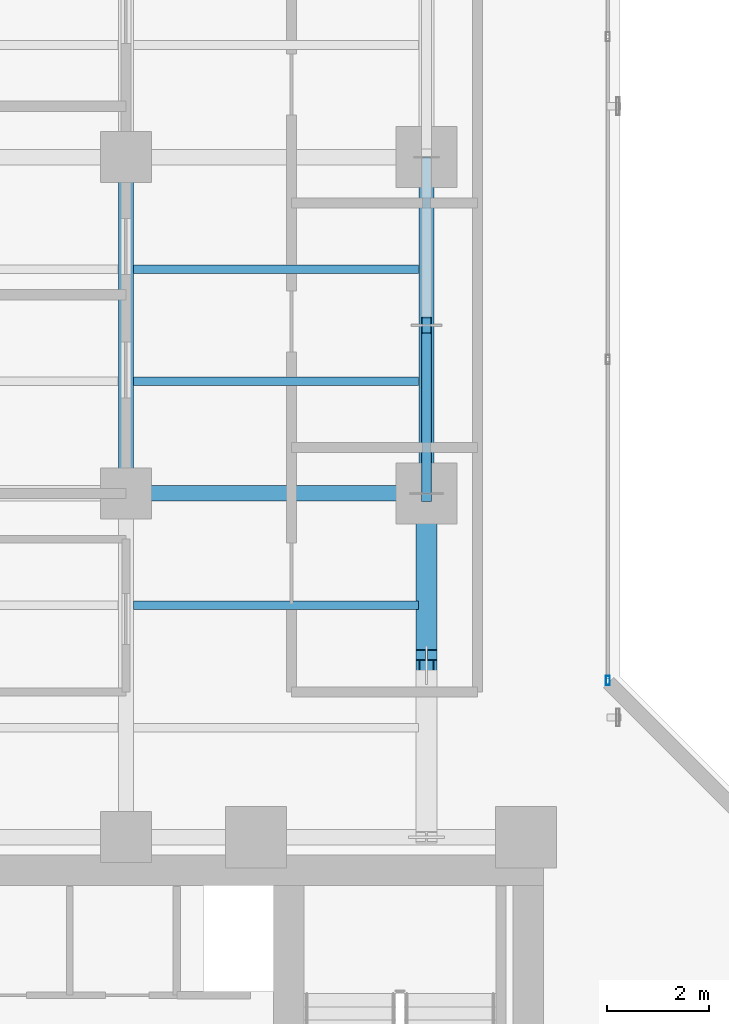
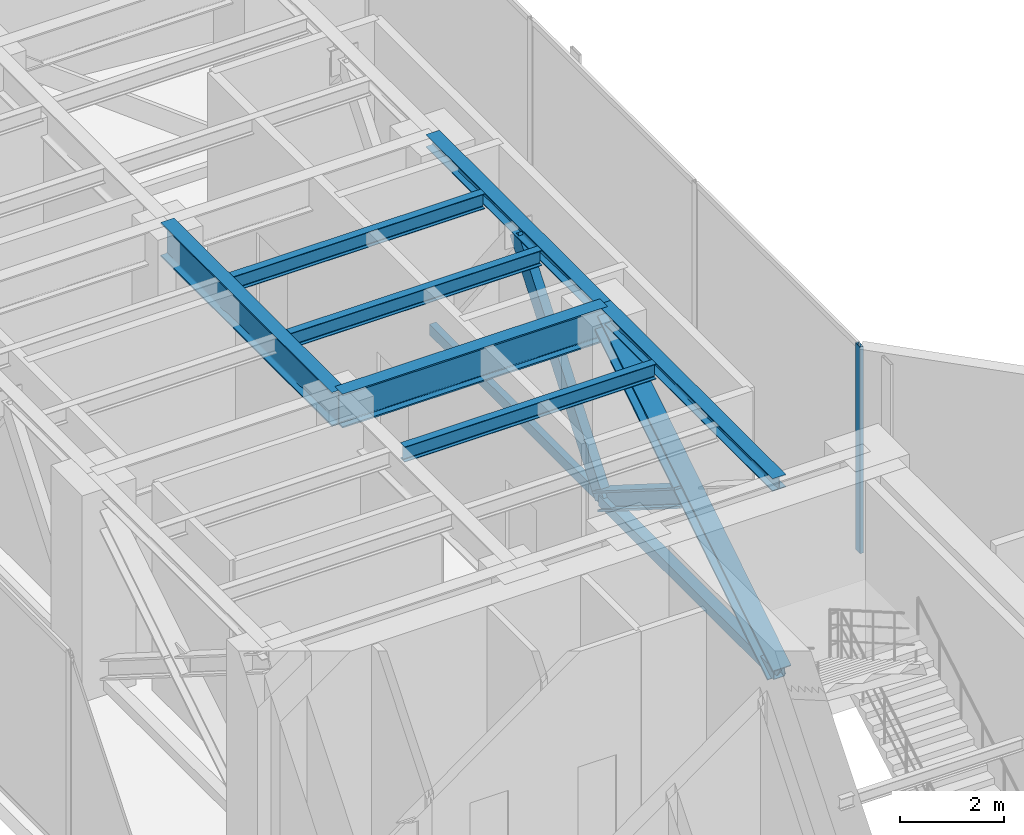
# One storey, part 12 of 36: 7 beams, 6 members, 1 element without a shape of its own.
"""IFC4 building model written with IfcOpenShell, lengths in metres."""

from ifc_helpers import new_model, si_unit, direction, frame, origin, origin_with_axes, origin_2d, place, context, subcontext, project, spatial, hollow_rectangle, i_section, extrude, source, transform, mapped, material, layer, layer_set, material_profile, profile_set, type_object, element, aggregate, save


model = new_model("IFC4")

# Units and contexts
model_context = context("Model", 3, precision=1e-05, world=origin(), true_north=direction((0.0, 1.0)))
body_context = subcontext(model_context, "Body", "Model", "MODEL_VIEW")
ifc_project = project(units=[si_unit("LENGTHUNIT", "METRE"), si_unit("AREAUNIT", "SQUARE_METRE"), si_unit("VOLUMEUNIT", "CUBIC_METRE"), si_unit("PLANEANGLEUNIT", "RADIAN"), si_unit("MASSUNIT", "GRAM", prefix="KILO")], contexts=[model_context])

# Site, building, storey
site_placement = place(None, origin())
site = spatial("IfcSite", under=ifc_project, at=site_placement, CompositionType="ELEMENT")
building_placement = place(site_placement, origin())
building = spatial("IfcBuilding", under=site, at=building_placement, Name="Kolvaren Waterfront Exchange", CompositionType="ELEMENT")
storey_placement = place(building_placement, frame((0.0, 0.0, 199.39990234375)))
storey = spatial("IfcBuildingStorey", under=building, at=storey_placement, Name="L51", CompositionType="ELEMENT", Elevation=199.39990234375)

# Beams
ifc_material_1 = material(Name="Steel S355", Category="steel")
ifc_material_profile_1 = material_profile(ifc_material_1, i_section(OverallWidth=0.300048828125, OverallDepth=0.300048828125, WebThickness=0.010986328125, FlangeThickness=0.01904296875, FilletRadius=0.027099609375, at=origin_2d()), Name="HEB300")
ifc_profile_set_1 = profile_set([ifc_material_profile_1], Name="Steel S355")
beam_type_1 = type_object("IfcBeamType", Name="STR-BM-HEB300", PredefinedType="SPANDREL", material=ifc_profile_set_1)
beam_1_placement = place(storey_placement, frame((18.800048828125, 24.449951171875, 4.710205078125), z_axis=(0.0, 1.0, 0.0), x_axis=(-1.0, 0.0, 0.0)))
element("IfcBeam", 1, at=beam_1_placement, inside=storey, type_object=beam_type_1, Name="L51 north-arm edge beam 1", PredefinedType="SPANDREL", context=body_context, shape_type="SweptSolid", body=[
    extrude(i_section(OverallWidth=0.300048828125, OverallDepth=0.300048828125, WebThickness=0.010986328125, FlangeThickness=0.01904296875, FilletRadius=0.027099609375, at=origin_2d()), origin(), (0.0, 0.0, 1.0), 6.75),
])
beam_2_placement = place(storey_placement, frame((18.800048828125, 31.199951171875, 4.710205078125), z_axis=(0.0, 1.0, 0.0), x_axis=(-1.0, 0.0, 0.0)))
element("IfcBeam", 2, at=beam_2_placement, inside=storey, type_object=beam_type_1, Name="L51 north-arm edge beam 2", PredefinedType="SPANDREL", context=body_context, shape_type="SweptSolid", body=[
    extrude(i_section(OverallWidth=0.300048828125, OverallDepth=0.300048828125, WebThickness=0.010986328125, FlangeThickness=0.01904296875, FilletRadius=0.027099609375, at=origin_2d()), origin(), (0.0, 0.0, 1.0), 6.60009765625),
])
ifc_material_profile_2 = material_profile(ifc_material_1, i_section(OverallWidth=0.300048828125, OverallDepth=0.800048828125, WebThickness=0.017578125, FlangeThickness=0.032958984375, FilletRadius=0.030029296875, at=origin_2d()), Name="HEB800")
ifc_profile_set_2 = profile_set([ifc_material_profile_2], Name="Steel S355")
beam_type_2 = type_object("IfcBeamType", Name="STR-BM-HEB800", PredefinedType="BEAM", material=ifc_profile_set_2)
beam_3_placement = place(storey_placement, frame((12.89990234375, 31.199951171875, 4.460205078125), z_axis=(1.0, 0.0, 0.0), x_axis=(0.0, 1.0, 0.0)))
element("IfcBeam", 3, at=beam_3_placement, inside=storey, type_object=beam_type_2, Name="L51 north-arm girder 2B", PredefinedType="BEAM", context=body_context, shape_type="SweptSolid", body=[
    extrude(i_section(OverallWidth=0.300048828125, OverallDepth=0.800048828125, WebThickness=0.017578125, FlangeThickness=0.032958984375, FilletRadius=0.030029296875, at=origin_2d()), origin(), (0.0, 0.0, 1.0), 5.900146484375),
])
beam_4_placement = place(storey_placement, frame((12.89990234375, 31.199951171875, 4.460205078125), z_axis=(0.0, 1.0, 0.0), x_axis=(-1.0, 0.0, 0.0)))
element("IfcBeam", 4, at=beam_4_placement, inside=storey, type_object=beam_type_2, Name="L51 north-arm edge beam 2", PredefinedType="BEAM", context=body_context, shape_type="SweptSolid", body=[
    extrude(i_section(OverallWidth=0.300048828125, OverallDepth=0.800048828125, WebThickness=0.017578125, FlangeThickness=0.032958984375, FilletRadius=0.030029296875, at=origin_2d()), origin(), (0.0, 0.0, 1.0), 6.60009765625),
])
ifc_material_profile_3 = material_profile(ifc_material_1, i_section(OverallWidth=0.169921875, OverallDepth=0.360107421875, WebThickness=0.008056640625, FlangeThickness=0.0126953125, FilletRadius=0.01806640625, at=origin_2d()), Name="IPE360")
ifc_profile_set_3 = profile_set([ifc_material_profile_3], Name="Steel S355")
beam_type_3 = type_object("IfcBeamType", Name="STR-BM-IPE360", PredefinedType="JOIST", material=ifc_profile_set_3)
for number, where, z_axis, x_axis, name in (
    (5, (13.052001953125, 29.0, 4.68017578125), (1.0, 0.0, 0.0), (0.0, 1.0, 0.0), "L51 north-arm composite joist 2B"),
    (6, (13.052001953125, 33.39990234375, 4.68017578125), (1.0, 0.0, 0.0), (0.0, 1.0, 0.0), "L51 north-arm composite joist 3B"),
    (7, (13.052001953125, 35.60009765625, 4.68017578125), (1.0, 0.0, 0.0), (0.0, 1.0, 0.0), "L51 north-arm composite joist 4B"),
):
    element("IfcBeam", number, at=place(storey_placement, frame(where, z_axis=z_axis, x_axis=x_axis)), inside=storey, type_object=beam_type_3, Name=name, PredefinedType="JOIST", context=body_context, shape_type="SweptSolid", body=[
        extrude(i_section(OverallWidth=0.169921875, OverallDepth=0.360107421875, WebThickness=0.008056640625, FlangeThickness=0.0126953125, FilletRadius=0.01806640625, at=origin_2d()), origin(), (0.0, 0.0, 1.0), 5.595947265625),
    ])

# Members
ifc_material_2 = material(Name="Steel S460", Category="steel")
ifc_material_profile_4 = material_profile(ifc_material_2, i_section(OverallWidth=0.406005859375, OverallDepth=0.416015625, WebThickness=0.029052734375, FlangeThickness=0.0419921875, FilletRadius=0.014892578125, at=origin_2d()), Name="HD400x382")
ifc_profile_set_4 = profile_set([ifc_material_profile_4], Name="Steel S460")
member_type_1 = type_object("IfcMemberType", Name="STR-BR-HD382", PredefinedType="BRACE", material=ifc_profile_set_4)
member_1_placement = place(storey_placement, frame((18.800048828125, 24.449951171875, 0.25), z_axis=(0.0, 0.845666926357, 0.533711016999), x_axis=(-1.0, 0.0, 0.0)))
element("IfcMember", 8, at=member_1_placement, inside=storey, type_object=member_type_1, Name="L51 outrigger diagonal OA4.1", PredefinedType="BRACE", context=body_context, shape_type="SweptSolid", body=[
    extrude(i_section(OverallWidth=0.406005859375, OverallDepth=0.416015625, WebThickness=0.029052734375, FlangeThickness=0.0419921875, FilletRadius=0.014892578125, at=origin_2d()), origin(), (0.0, 0.0, 1.0), 7.98193359375),
])
member_2_placement = place(storey_placement, frame((18.800048828125, 31.199951171875, 0.25), z_axis=(0.0, -0.845649720834, 0.533738278236), x_axis=(1.0, 0.0, 0.0)))
element("IfcMember", 9, at=member_2_placement, inside=storey, type_object=member_type_1, Name="L51 outrigger split diagonal OA4.2A", PredefinedType="BRACE", context=body_context, shape_type="SweptSolid", body=[
    extrude(i_section(OverallWidth=0.406005859375, OverallDepth=0.416015625, WebThickness=0.029052734375, FlangeThickness=0.0419921875, FilletRadius=0.014892578125, at=origin_2d()), origin(), (0.0, 0.0, 1.0), 3.750732421875),
])
ifc_material_profile_5 = material_profile(ifc_material_2, hollow_rectangle(XDim=0.14990234375, YDim=0.25, WallThickness=0.010009765625, at=origin_2d()), Name="RHS250x150x10")
ifc_profile_set_5 = profile_set([ifc_material_profile_5], Name="Steel S460")
member_type_2 = type_object("IfcMemberType", Name="STR-BR-RHS250", PredefinedType="CHORD", material=ifc_profile_set_5)
member_3_placement = place(storey_placement, frame((18.800048828125, 31.199951171875, 0.25), z_axis=(0.0, 1.0, 0.0), x_axis=(-1.0, 0.0, 0.0)))
element("IfcMember", 10, at=member_3_placement, inside=storey, type_object=member_type_2, Name="L51 belt-truss bottom chord BT6", PredefinedType="CHORD", context=body_context, shape_type="SweptSolid", body=[
    extrude(hollow_rectangle(XDim=0.14990234375, YDim=0.25, WallThickness=0.010009765625, at=origin_2d()), origin(), (0.0, 0.0, 1.0), 6.60009765625),
])
ifc_material_profile_6 = material_profile(ifc_material_2, hollow_rectangle(XDim=0.199951171875, YDim=0.39990234375, WallThickness=0.01611328125, at=origin_2d()), Name="RHS400x200x16")
ifc_profile_set_6 = profile_set([ifc_material_profile_6], Name="Steel S460")
member_type_3 = type_object("IfcMemberType", Name="STR-BR-RHS400", PredefinedType="BRACE", material=ifc_profile_set_6)
member_4_placement = place(storey_placement, frame((18.800048828125, 31.199951171875, 0.25), z_axis=(0.0, 0.612402527517, 0.790546105101), x_axis=(-1.0, 0.0, 0.0)))
element("IfcMember", 11, at=member_4_placement, inside=storey, type_object=member_type_3, Name="L51 belt-truss chevron brace BT6L", PredefinedType="BRACE", context=body_context, shape_type="SweptSolid", body=[
    extrude(hollow_rectangle(XDim=0.199951171875, YDim=0.39990234375, WallThickness=0.01611328125, at=origin_2d()), origin(), (0.0, 0.0, 1.0), 5.388671875),
])
ifc_material_profile_7 = material_profile(ifc_material_1, hollow_rectangle(XDim=0.25, YDim=0.25, WallThickness=0.012451171875, at=origin_2d()), Name="SHS250x250x12.5")
ifc_profile_set_7 = profile_set([ifc_material_profile_7], Name="Steel S355")
member_type_4 = type_object("IfcMemberType", Name="STR-BR-SHS250", PredefinedType="CHORD", material=ifc_profile_set_7)
member_5_placement = place(storey_placement, frame((18.800048828125, 24.449951171875, 0.25), z_axis=(0.0, 1.0, 0.0), x_axis=(-1.0, 0.0, 0.0)))
element("IfcMember", 12, at=member_5_placement, inside=storey, type_object=member_type_4, Name="L51 outrigger bottom chord OA4", PredefinedType="CHORD", context=body_context, shape_type="SweptSolid", body=[
    extrude(hollow_rectangle(XDim=0.25, YDim=0.25, WallThickness=0.012451171875, at=origin_2d()), origin(), (0.0, 0.0, 1.0), 6.75),
])

# Curtain wall, member
ifc_material_3 = material(Name="Anodised dark bronze spandrel aluminium", Category="aluminium")
ifc_layer = layer(ifc_material_3, 0.219970703125, Name="Anodised dark bronze spandrel aluminium")
ifc_layer_set = layer_set([ifc_layer], Name="Anodised dark bronze spandrel aluminium")
curtain_wall_type = type_object("IfcCurtainWallType", Name="ARC-CW-SYS6", PredefinedType="USERDEFINED", material=ifc_layer_set)
curtain_wall_placement = place(storey_placement, origin())
curtain_wall = element("IfcCurtainWall", 13, at=curtain_wall_placement, inside=storey, type_object=curtain_wall_type, Name="L51 stick curtain wall CW6 (CW-L51-NE)", ObjectType="STICK CURTAIN WALL", PredefinedType="USERDEFINED")
ifc_material_4 = material(Name="Anodised bronze aluminium 6063-T6", Category="aluminium")
ifc_material_profile_8 = material_profile(ifc_material_4, hollow_rectangle(XDim=0.074951171875, YDim=0.179931640625, WallThickness=0.00439453125, at=origin_2d()), Name="ALU-MUL-180x75x4.5")
ifc_profile_set_8 = profile_set([ifc_material_profile_8], Name="Anodised bronze aluminium 6063-T6")
member_type_5 = type_object("IfcMemberType", Name="ARC-CWM-180", PredefinedType="MULLION", material=ifc_profile_set_8)
shared_shape = source(origin_with_axes(), body_context, "Body", "SweptSolid", [
    extrude(hollow_rectangle(XDim=0.074951171875, YDim=0.179931640625, WallThickness=0.00439453125, at=origin_2d()), origin(), (0.0, 0.0, 1.0), 4.860107421875),
])
member_6_placement = place(storey_placement, frame((22.360107421875, 27.527587890625, 0.0), z_axis=(0.0, 0.0, 1.0), x_axis=(-1.0, 0.0, 0.0)))
member_6 = element("IfcMember", 14, at=member_6_placement, type_object=member_type_5, Name="CW6 mullion 1", PredefinedType="MULLION", context=body_context, shape_type="MappedRepresentation", body=[
    mapped(shared_shape, transform((0.0, 0.0, 0.0), x_axis=(1.0, 0.0, 0.0), y_axis=(0.0, 1.0, 0.0), z_axis=(0.0, 0.0, 1.0), scale=1.0)),
])
aggregate(curtain_wall, [member_6])

save(model, "model.ifc")
